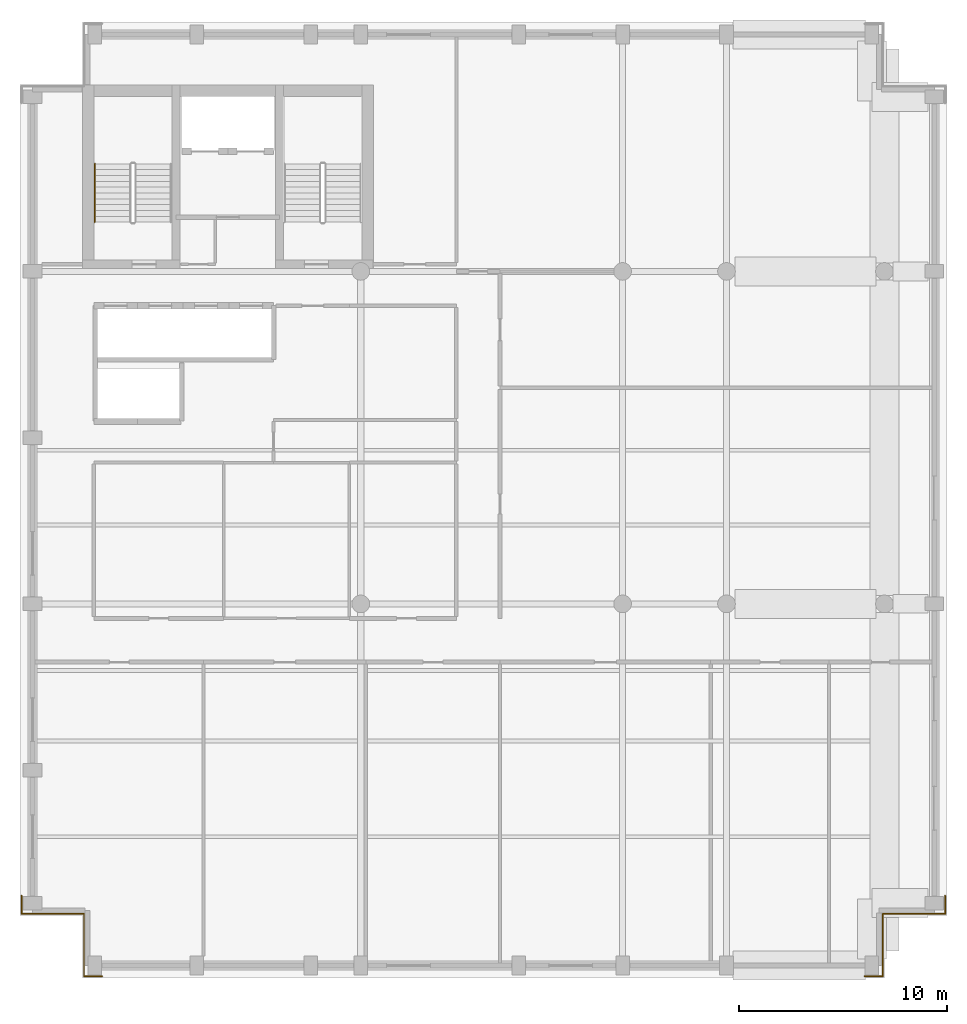
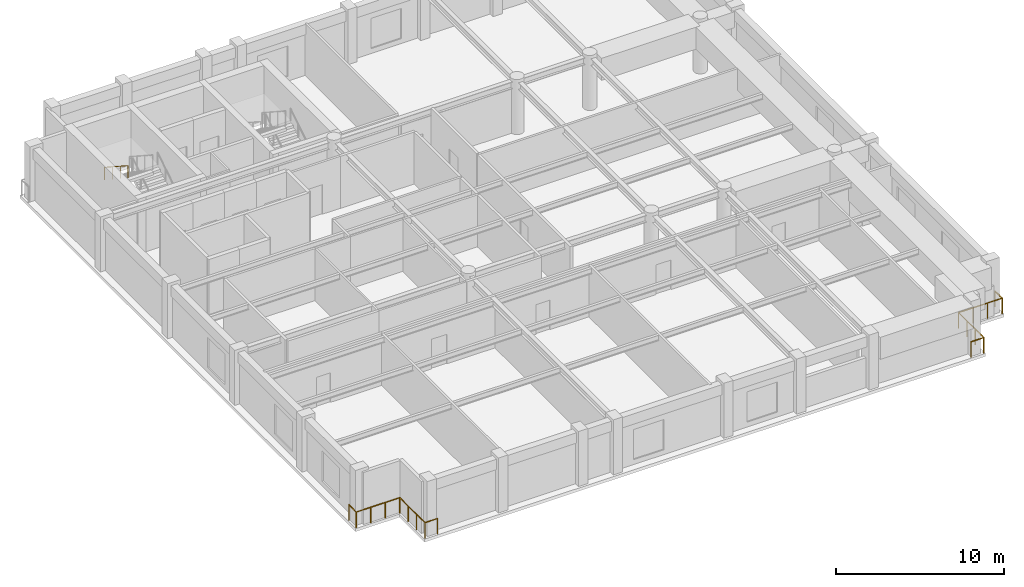
# One storey, part 6 of 8: 9 railings.
"""IFC4 building model written with IfcOpenShell, lengths in metres."""

from ifc_helpers import new_model, si_unit, direction, frame, origin, origin_2d, place, context, subcontext, project, spatial, circle, extrude, material, type_object, element, save


model = new_model("IFC4")

# Units and contexts
model_context = context("Model", 3, precision=1e-05, world=origin(), true_north=direction((0.0, 1.0)))
body_context = subcontext(model_context, "Body", "Model", "MODEL_VIEW")
ifc_project = project(units=[si_unit("LENGTHUNIT", "METRE"), si_unit("AREAUNIT", "SQUARE_METRE"), si_unit("VOLUMEUNIT", "CUBIC_METRE"), si_unit("PLANEANGLEUNIT", "RADIAN"), si_unit("MASSUNIT", "GRAM", prefix="KILO")], contexts=[model_context])

# Site, building, storey
site_placement = place(None, origin())
site = spatial("IfcSite", under=ifc_project, at=site_placement, CompositionType="ELEMENT")
building_placement = place(site_placement, origin())
building = spatial("IfcBuilding", under=site, at=building_placement, Name="Sulina Concourse Tower", CompositionType="ELEMENT")
storey_placement = place(building_placement, frame((0.0, 0.0, 293.0)))
storey = spatial("IfcBuildingStorey", under=building, at=storey_placement, Name="L71", CompositionType="ELEMENT", Elevation=293.0)

# Railings
ifc_material_1 = material(Name="Galvanised steel railing", Category="steel")
railing_type_1 = type_object("IfcRailingType", Name="Core Stair Steel Guardrail 1150mm", PredefinedType="GUARDRAIL", material=ifc_material_1)
railing_1_placement = place(storey_placement, frame((44.52001953125, 3.949951171875, 0.0)))
element("IfcRailing", 1, at=railing_1_placement, inside=storey, type_object=railing_type_1, Name="L71 perimeter edge safety guardrail SE1", PredefinedType="GUARDRAIL", context=body_context, shape_type="SweptSolid", body=[
    extrude(circle(Radius=0.02392578125, at=origin_2d()), frame((0.0, 0.0, 1.1259765625), z_axis=(0.0, -1.0, 0.0), x_axis=(1.0, 0.0, 0.0)), (0.0, 0.0, 1.0), 0.869873046875),
    extrude(circle(Radius=0.02099609375, at=origin_2d()), origin(), (0.0, 0.0, 1.0), 1.101806640625),
    extrude(circle(Radius=0.02099609375, at=origin_2d()), frame((0.0, -0.869873046875, 0.0)), (0.0, 0.0, 1.0), 1.101806640625),
])
railing_2_placement = place(storey_placement, frame((44.52001953125, 3.080078125, 0.0)))
element("IfcRailing", 2, at=railing_2_placement, inside=storey, type_object=railing_type_1, Name="L71 perimeter edge safety guardrail SE2", PredefinedType="GUARDRAIL", context=body_context, shape_type="SweptSolid", body=[
    extrude(circle(Radius=0.02392578125, at=origin_2d()), frame((0.0, 0.0, 1.1259765625), z_axis=(-1.0, 0.0, 0.0), x_axis=(0.0, -1.0, 0.0)), (0.0, 0.0, 1.0), 3.0),
    extrude(circle(Radius=0.02099609375, at=origin_2d()), origin(), (0.0, 0.0, 1.0), 1.101806640625),
    extrude(circle(Radius=0.02099609375, at=origin_2d()), frame((-1.0, 0.0, 0.0)), (0.0, 0.0, 1.0), 1.101806640625),
    extrude(circle(Radius=0.02099609375, at=origin_2d()), frame((-2.0, 0.0, 0.0)), (0.0, 0.0, 1.0), 1.101806640625),
    extrude(circle(Radius=0.02099609375, at=origin_2d()), frame((-3.0, 0.0, 0.0)), (0.0, 0.0, 1.0), 1.101806640625),
])
railing_3_placement = place(storey_placement, frame((41.52001953125, 3.080078125, 0.0)))
element("IfcRailing", 3, at=railing_3_placement, inside=storey, type_object=railing_type_1, Name="L71 perimeter edge safety guardrail SE3", PredefinedType="GUARDRAIL", context=body_context, shape_type="SweptSolid", body=[
    extrude(circle(Radius=0.02392578125, at=origin_2d()), frame((0.0, 0.0, 1.1259765625), z_axis=(0.0, -1.0, 0.0), x_axis=(1.0, 0.0, 0.0)), (0.0, 0.0, 1.0), 3.0),
    extrude(circle(Radius=0.02099609375, at=origin_2d()), origin(), (0.0, 0.0, 1.0), 1.101806640625),
    extrude(circle(Radius=0.02099609375, at=origin_2d()), frame((0.0, -1.0, 0.0)), (0.0, 0.0, 1.0), 1.101806640625),
    extrude(circle(Radius=0.02099609375, at=origin_2d()), frame((0.0, -2.0, 0.0)), (0.0, 0.0, 1.0), 1.101806640625),
    extrude(circle(Radius=0.02099609375, at=origin_2d()), frame((0.0, -3.0, 0.0)), (0.0, 0.0, 1.0), 1.101806640625),
])
railing_4_placement = place(storey_placement, frame((41.52001953125, 0.080078125, 0.0)))
element("IfcRailing", 4, at=railing_4_placement, inside=storey, type_object=railing_type_1, Name="L71 perimeter edge safety guardrail SE4", PredefinedType="GUARDRAIL", context=body_context, shape_type="SweptSolid", body=[
    extrude(circle(Radius=0.02392578125, at=origin_2d()), frame((0.0, 0.0, 1.1259765625), z_axis=(-1.0, 0.0, 0.0), x_axis=(0.0, -1.0, 0.0)), (0.0, 0.0, 1.0), 0.8701171875),
    extrude(circle(Radius=0.02099609375, at=origin_2d()), origin(), (0.0, 0.0, 1.0), 1.101806640625),
    extrude(circle(Radius=0.02099609375, at=origin_2d()), frame((-0.8701171875, 0.0, 0.0)), (0.0, 0.0, 1.0), 1.101806640625),
])
railing_5_placement = place(storey_placement, frame((3.949951171875, 0.080078125, 0.0)))
element("IfcRailing", 5, at=railing_5_placement, inside=storey, type_object=railing_type_1, Name="L71 perimeter edge safety guardrail SW1", PredefinedType="GUARDRAIL", context=body_context, shape_type="SweptSolid", body=[
    extrude(circle(Radius=0.02392578125, at=origin_2d()), frame((0.0, 0.0, 1.1259765625), z_axis=(-1.0, 0.0, 0.0), x_axis=(0.0, -1.0, 0.0)), (0.0, 0.0, 1.0), 0.869873046875),
    extrude(circle(Radius=0.02099609375, at=origin_2d()), origin(), (0.0, 0.0, 1.0), 1.101806640625),
    extrude(circle(Radius=0.02099609375, at=origin_2d()), frame((-0.869873046875, 0.0, 0.0)), (0.0, 0.0, 1.0), 1.101806640625),
])
railing_6_placement = place(storey_placement, frame((3.080078125, 0.080078125, 0.0)))
element("IfcRailing", 6, at=railing_6_placement, inside=storey, type_object=railing_type_1, Name="L71 perimeter edge safety guardrail SW2", PredefinedType="GUARDRAIL", context=body_context, shape_type="SweptSolid", body=[
    extrude(circle(Radius=0.02392578125, at=origin_2d()), frame((0.0, 0.0, 1.1259765625), z_axis=(0.0, 1.0, 0.0), x_axis=(-1.0, 0.0, 0.0)), (0.0, 0.0, 1.0), 3.0),
    extrude(circle(Radius=0.02099609375, at=origin_2d()), origin(), (0.0, 0.0, 1.0), 1.101806640625),
    extrude(circle(Radius=0.02099609375, at=origin_2d()), frame((0.0, 1.0, 0.0)), (0.0, 0.0, 1.0), 1.101806640625),
    extrude(circle(Radius=0.02099609375, at=origin_2d()), frame((0.0, 2.0, 0.0)), (0.0, 0.0, 1.0), 1.101806640625),
    extrude(circle(Radius=0.02099609375, at=origin_2d()), frame((0.0, 3.0, 0.0)), (0.0, 0.0, 1.0), 1.101806640625),
])
railing_7_placement = place(storey_placement, frame((3.080078125, 3.080078125, 0.0)))
element("IfcRailing", 7, at=railing_7_placement, inside=storey, type_object=railing_type_1, Name="L71 perimeter edge safety guardrail SW3", PredefinedType="GUARDRAIL", context=body_context, shape_type="SweptSolid", body=[
    extrude(circle(Radius=0.02392578125, at=origin_2d()), frame((0.0, 0.0, 1.1259765625), z_axis=(-1.0, 0.0, 0.0), x_axis=(0.0, -1.0, 0.0)), (0.0, 0.0, 1.0), 3.0),
    extrude(circle(Radius=0.02099609375, at=origin_2d()), origin(), (0.0, 0.0, 1.0), 1.101806640625),
    extrude(circle(Radius=0.02099609375, at=origin_2d()), frame((-1.0, 0.0, 0.0)), (0.0, 0.0, 1.0), 1.101806640625),
    extrude(circle(Radius=0.02099609375, at=origin_2d()), frame((-2.0, 0.0, 0.0)), (0.0, 0.0, 1.0), 1.101806640625),
    extrude(circle(Radius=0.02099609375, at=origin_2d()), frame((-3.0, 0.0, 0.0)), (0.0, 0.0, 1.0), 1.101806640625),
])
railing_8_placement = place(storey_placement, frame((0.080078125, 3.080078125, 0.0)))
element("IfcRailing", 8, at=railing_8_placement, inside=storey, type_object=railing_type_1, Name="L71 perimeter edge safety guardrail SW4", PredefinedType="GUARDRAIL", context=body_context, shape_type="SweptSolid", body=[
    extrude(circle(Radius=0.02392578125, at=origin_2d()), frame((0.0, 0.0, 1.1259765625), z_axis=(0.0, 1.0, 0.0), x_axis=(-1.0, 0.0, 0.0)), (0.0, 0.0, 1.0), 0.869873046875),
    extrude(circle(Radius=0.02099609375, at=origin_2d()), origin(), (0.0, 0.0, 1.0), 1.101806640625),
    extrude(circle(Radius=0.02099609375, at=origin_2d()), frame((0.0, 0.869873046875, 0.0)), (0.0, 0.0, 1.0), 1.101806640625),
])
ifc_material_2 = material(Name="Galvanised steel railing", Category="steel")
railing_type_2 = type_object("IfcRailingType", Name="Stair Wall Steel Handrail 920mm", PredefinedType="HANDRAIL", material=ifc_material_2)
railing_9_placement = place(storey_placement, frame((3.60498046875, 39.175048828125, 2.181884765625)))
element("IfcRailing", 9, at=railing_9_placement, inside=storey, type_object=railing_type_2, Name="L71 ST-1 stair handrail 2", PredefinedType="HANDRAIL", context=body_context, shape_type="SweptSolid", body=[
    extrude(circle(Radius=0.02392578125, at=origin_2d()), frame((0.0, 0.0, 0.89599609375), z_axis=(0.0, -0.838705829183, 0.544584733623), x_axis=(1.0, 0.0, 0.0)), (0.0, 0.0, 1.0), 3.338623046875),
    extrude(circle(Radius=0.02099609375, at=origin_2d()), origin(), (0.0, 0.0, 1.0), 0.871826171875),
    extrude(circle(Radius=0.02099609375, at=origin_2d()), frame((0.0, -0.933349609375, 0.60595703125)), (0.0, 0.0, 1.0), 0.871826171875),
    extrude(circle(Radius=0.02099609375, at=origin_2d()), frame((0.0, -1.86669921875, 1.212158203125)), (0.0, 0.0, 1.0), 0.871826171875),
    extrude(circle(Radius=0.02099609375, at=origin_2d()), frame((0.0, -2.800048828125, 1.818115234375)), (0.0, 0.0, 1.0), 0.871826171875),
])

save(model, "model.ifc")
